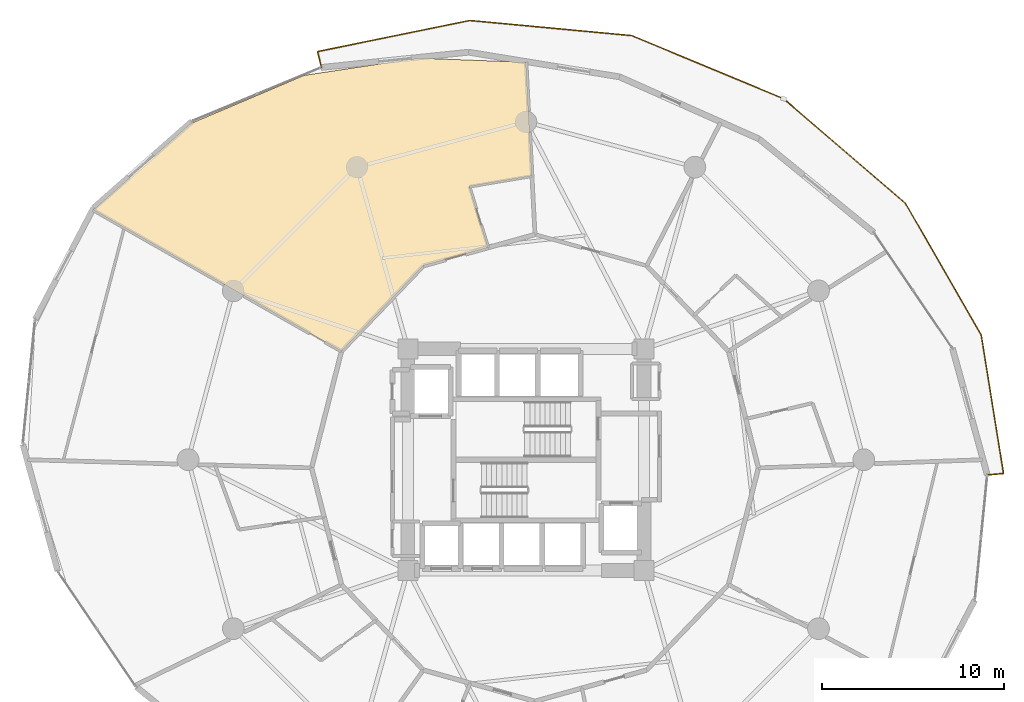
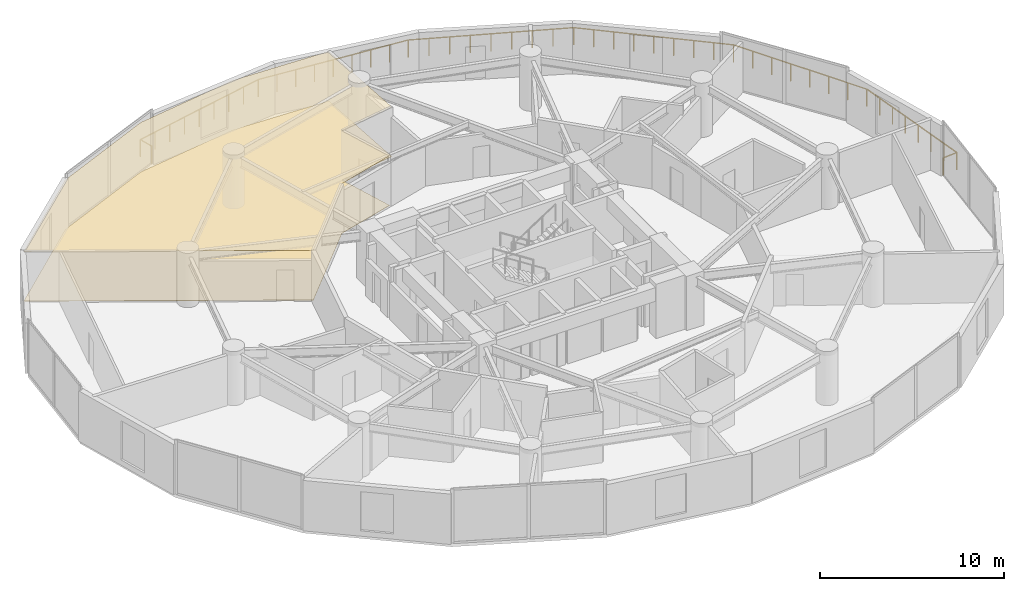
# One storey, part 26 of 26: 2 coverings, 1 railing.
"""IFC4 building model written with IfcOpenShell, lengths in metres."""

from ifc_helpers import new_model, si_unit, direction, frame, origin, origin_2d, place, context, subcontext, project, spatial, polyline, circle, outline, extrude, material, layer, layer_set, type_object, element, save


model = new_model("IFC4")

# Units and contexts
model_context = context("Model", 3, precision=1e-05, world=origin(), true_north=direction((0.0, 1.0)))
body_context = subcontext(model_context, "Body", "Model", "MODEL_VIEW")
ifc_project = project(units=[si_unit("LENGTHUNIT", "METRE"), si_unit("AREAUNIT", "SQUARE_METRE"), si_unit("VOLUMEUNIT", "CUBIC_METRE"), si_unit("PLANEANGLEUNIT", "RADIAN"), si_unit("MASSUNIT", "GRAM", prefix="KILO")], contexts=[model_context])

# Site, building, storey
site_placement = place(None, origin())
site = spatial("IfcSite", under=ifc_project, at=site_placement, CompositionType="ELEMENT")
building_placement = place(site_placement, origin())
building = spatial("IfcBuilding", under=site, at=building_placement, Name="Solvirekh Grand Hotel", CompositionType="ELEMENT")
storey_placement = place(building_placement, frame((0.0, 0.0, 64.39990234375)))
storey = spatial("IfcBuildingStorey", under=building, at=storey_placement, Name="L15", CompositionType="ELEMENT", Elevation=64.39990234375)

# Coverings
ifc_material_1 = material(Name="Acoustic Mineral Ceiling Tile")
ifc_layer_1 = layer(ifc_material_1, 0.02490234375)
ifc_layer_set_1 = layer_set([ifc_layer_1], Name="Acoustic Mineral Ceiling Tile")
covering_type_1 = type_object("IfcCoveringType", Name="Cov_Ceiling_Acoustic", PredefinedType="CEILING", material=ifc_layer_set_1)
covering_1_placement = place(storey_placement, frame((0.0, 0.0, 3.2900390625)))
element("IfcCovering", 1, at=covering_1_placement, inside=storey, type_object=covering_type_1, Name="L15 Diplomatic Suite 1701 Living Room acoustic ceiling", PredefinedType="CEILING", context=body_context, shape_type="SweptSolid", body=[
    extrude(outline(polyline([(-3.118896484375, 15.04296875), (0.330078125, 15.6240234375), (0.0, 21.881103515625), (-5.924072265625, 22.110107421875), (-12.216064453125, 21.157958984375), (-18.490966796875, 18.490966796875), (-23.821044921875, 13.7529296875), (-10.152099609375, 5.97509765625), (-5.64990234375, 10.677978515625), (-2.0830078125, 11.677001953125), (-3.118896484375, 15.04296875)])), origin(), (0.0, 0.0, 1.0), 0.01806640625),
])
ifc_material_2 = material(Name="Porcelain Stoneware Flooring", Category="masonry")
ifc_layer_2 = layer(ifc_material_2, 0.030029296875)
ifc_layer_set_2 = layer_set([ifc_layer_2], Name="Porcelain Stoneware Flooring")
covering_type_2 = type_object("IfcCoveringType", Name="Cov_Floor_Stone", PredefinedType="FLOORING", material=ifc_layer_set_2)
covering_2_placement = place(storey_placement, origin())
element("IfcCovering", 2, at=covering_2_placement, inside=storey, type_object=covering_type_2, Name="L15 Diplomatic Suite 1701 Living Room polished granite flooring", PredefinedType="FLOORING", context=body_context, shape_type="SweptSolid", body=[
    extrude(outline(polyline([(-3.118896484375, 15.04296875), (0.330078125, 15.6240234375), (0.0, 21.881103515625), (-5.924072265625, 22.110107421875), (-12.216064453125, 21.157958984375), (-18.490966796875, 18.490966796875), (-23.821044921875, 13.7529296875), (-10.152099609375, 5.97509765625), (-5.64990234375, 10.677978515625), (-2.0830078125, 11.677001953125), (-3.118896484375, 15.04296875)])), origin(), (0.0, 0.0, 1.0), 0.02001953125),
])

# Railing
ifc_material_3 = material(Name="Anodized Bronze Aluminium 6063-T6", Category="aluminium")
railing_type = type_object("IfcRailingType", Name="Guard_ExtGlass_1150", PredefinedType="BALUSTRADE", material=ifc_material_3)
railing_placement = place(storey_placement, frame((25.39990234375, -0.840087890625, 0.0)))
element("IfcRailing", 3, at=railing_placement, inside=storey, type_object=railing_type, Name="L15 balc perimeter glass balustrade", PredefinedType="BALUSTRADE", context=body_context, shape_type="SweptSolid", body=[
    extrude(circle(Radius=0.02392578125, at=origin_2d()), frame((0.0, 0.0, 1.1259765625), z_axis=(0.996029974315, 0.089018482718, 0.0), x_axis=(-0.089018482718, 0.996029974315, 0.0)), (0.0, 0.0, 1.0), 0.899658203125),
    extrude(circle(Radius=0.02392578125, at=origin_2d()), frame((0.89599609375, 0.080078125, 1.1259765625), z_axis=(-0.158884124332, 0.987297237429, 0.0), x_axis=(-0.987297237429, -0.158884124332, 0.0)), (0.0, 0.0, 1.0), 7.735107421875),
    extrude(circle(Radius=0.02392578125, at=origin_2d()), frame((-0.3330078125, 7.717041015625, 1.1259765625), z_axis=(-0.499219073892, 0.866475802468, 0.0), x_axis=(-0.866475802468, -0.499219073892, 0.0)), (0.0, 0.0, 1.0), 8.356689453125),
    extrude(circle(Radius=0.02392578125, at=origin_2d()), frame((-4.5048828125, 14.9580078125, 1.1259765625), z_axis=(-0.758552005443, 0.651612503747, 0.0), x_axis=(-0.651612503747, -0.758552005443, 0.0)), (0.0, 0.0, 1.0), 8.835205078125),
    extrude(circle(Radius=0.02392578125, at=origin_2d()), frame((-11.206787109375, 20.715087890625, 1.1259765625), z_axis=(-0.923388415228, 0.383866949114, 0.0), x_axis=(-0.383866949114, -0.923388415228, 0.0)), (0.0, 0.0, 1.0), 9.057861328125),
    extrude(circle(Radius=0.02392578125, at=origin_2d()), frame((-19.57080078125, 24.192138671875, 1.1259765625), z_axis=(-0.995673602818, 0.092919732305, 0.0), x_axis=(-0.092919732305, -0.995673602818, 0.0)), (0.0, 0.0, 1.0), 8.96484375),
    extrude(circle(Radius=0.02392578125, at=origin_2d()), frame((-28.496826171875, 25.025146484375, 1.1259765625), z_axis=(-0.979710474015, -0.200418030887, 0.0), x_axis=(0.200418030887, -0.979710474015, 0.0)), (0.0, 0.0, 1.0), 8.552734375),
    extrude(circle(Radius=0.02392578125, at=origin_2d()), frame((-36.8759765625, 23.31103515625, 1.1259765625), z_axis=(0.241258324575, -0.970460932147, 0.0), x_axis=(0.970460932147, 0.241258324575, 0.0)), (0.0, 0.0, 1.0), 0.899658203125),
    extrude(circle(Radius=0.02099609375, at=origin_2d()), origin(), (0.0, 0.0, 1.0), 1.101806640625),
    extrude(circle(Radius=0.02099609375, at=origin_2d()), frame((0.89599609375, 0.080078125, 0.0)), (0.0, 0.0, 1.0), 1.101806640625),
    extrude(circle(Radius=0.02099609375, at=origin_2d()), frame((0.720458984375, 1.171142578125, 0.0)), (0.0, 0.0, 1.0), 1.101806640625),
    extrude(circle(Radius=0.02099609375, at=origin_2d()), frame((0.544921875, 2.261962890625, 0.0)), (0.0, 0.0, 1.0), 1.101806640625),
    extrude(circle(Radius=0.02099609375, at=origin_2d()), frame((0.369384765625, 3.35302734375, 0.0)), (0.0, 0.0, 1.0), 1.101806640625),
    extrude(circle(Radius=0.02099609375, at=origin_2d()), frame((0.193603515625, 4.444091796875, 0.0)), (0.0, 0.0, 1.0), 1.101806640625),
    extrude(circle(Radius=0.02099609375, at=origin_2d()), frame((0.01806640625, 5.53515625, 0.0)), (0.0, 0.0, 1.0), 1.101806640625),
    extrude(circle(Radius=0.02099609375, at=origin_2d()), frame((-0.157470703125, 6.6259765625, 0.0)), (0.0, 0.0, 1.0), 1.101806640625),
    extrude(circle(Radius=0.02099609375, at=origin_2d()), frame((-0.3330078125, 7.717041015625, 0.0)), (0.0, 0.0, 1.0), 1.101806640625),
    extrude(circle(Radius=0.02099609375, at=origin_2d()), frame((-0.928955078125, 8.75146484375, 0.0)), (0.0, 0.0, 1.0), 1.101806640625),
    extrude(circle(Radius=0.02099609375, at=origin_2d()), frame((-1.52490234375, 9.785888671875, 0.0)), (0.0, 0.0, 1.0), 1.101806640625),
    extrude(circle(Radius=0.02099609375, at=origin_2d()), frame((-2.120849609375, 10.8203125, 0.0)), (0.0, 0.0, 1.0), 1.101806640625),
    extrude(circle(Radius=0.02099609375, at=origin_2d()), frame((-2.717041015625, 11.854736328125, 0.0)), (0.0, 0.0, 1.0), 1.101806640625),
    extrude(circle(Radius=0.02099609375, at=origin_2d()), frame((-3.31298828125, 12.88916015625, 0.0)), (0.0, 0.0, 1.0), 1.101806640625),
    extrude(circle(Radius=0.02099609375, at=origin_2d()), frame((-3.908935546875, 13.923583984375, 0.0)), (0.0, 0.0, 1.0), 1.101806640625),
    extrude(circle(Radius=0.02099609375, at=origin_2d()), frame((-4.5048828125, 14.9580078125, 0.0)), (0.0, 0.0, 1.0), 1.101806640625),
    extrude(circle(Radius=0.02099609375, at=origin_2d()), frame((-5.342529296875, 15.677734375, 0.0)), (0.0, 0.0, 1.0), 1.101806640625),
    extrude(circle(Radius=0.02099609375, at=origin_2d()), frame((-6.180419921875, 16.397216796875, 0.0)), (0.0, 0.0, 1.0), 1.101806640625),
    extrude(circle(Radius=0.02099609375, at=origin_2d()), frame((-7.01806640625, 17.116943359375, 0.0)), (0.0, 0.0, 1.0), 1.101806640625),
    extrude(circle(Radius=0.02099609375, at=origin_2d()), frame((-7.85595703125, 17.83642578125, 0.0)), (0.0, 0.0, 1.0), 1.101806640625),
    extrude(circle(Radius=0.02099609375, at=origin_2d()), frame((-8.693603515625, 18.55615234375, 0.0)), (0.0, 0.0, 1.0), 1.101806640625),
    extrude(circle(Radius=0.02099609375, at=origin_2d()), frame((-9.53125, 19.27587890625, 0.0)), (0.0, 0.0, 1.0), 1.101806640625),
    extrude(circle(Radius=0.02099609375, at=origin_2d()), frame((-10.369140625, 19.995361328125, 0.0)), (0.0, 0.0, 1.0), 1.101806640625),
    extrude(circle(Radius=0.02099609375, at=origin_2d()), frame((-11.206787109375, 20.715087890625, 0.0)), (0.0, 0.0, 1.0), 1.101806640625),
    extrude(circle(Radius=0.02099609375, at=origin_2d()), frame((-12.252197265625, 21.149658203125, 0.0)), (0.0, 0.0, 1.0), 1.101806640625),
    extrude(circle(Radius=0.02099609375, at=origin_2d()), frame((-13.2978515625, 21.58447265625, 0.0)), (0.0, 0.0, 1.0), 1.101806640625),
    extrude(circle(Radius=0.02099609375, at=origin_2d()), frame((-14.34326171875, 22.01904296875, 0.0)), (0.0, 0.0, 1.0), 1.101806640625),
    extrude(circle(Radius=0.02099609375, at=origin_2d()), frame((-15.388671875, 22.45361328125, 0.0)), (0.0, 0.0, 1.0), 1.101806640625),
    extrude(circle(Radius=0.02099609375, at=origin_2d()), frame((-16.434326171875, 22.88818359375, 0.0)), (0.0, 0.0, 1.0), 1.101806640625),
    extrude(circle(Radius=0.02099609375, at=origin_2d()), frame((-17.479736328125, 23.32275390625, 0.0)), (0.0, 0.0, 1.0), 1.101806640625),
    extrude(circle(Radius=0.02099609375, at=origin_2d()), frame((-18.525390625, 23.757568359375, 0.0)), (0.0, 0.0, 1.0), 1.101806640625),
    extrude(circle(Radius=0.02099609375, at=origin_2d()), frame((-19.57080078125, 24.192138671875, 0.0)), (0.0, 0.0, 1.0), 1.101806640625),
    extrude(circle(Radius=0.02099609375, at=origin_2d()), frame((-20.6865234375, 24.29638671875, 0.0)), (0.0, 0.0, 1.0), 1.101806640625),
    extrude(circle(Radius=0.02099609375, at=origin_2d()), frame((-21.80224609375, 24.400390625, 0.0)), (0.0, 0.0, 1.0), 1.101806640625),
    extrude(circle(Radius=0.02099609375, at=origin_2d()), frame((-22.91796875, 24.50439453125, 0.0)), (0.0, 0.0, 1.0), 1.101806640625),
    extrude(circle(Radius=0.02099609375, at=origin_2d()), frame((-24.03369140625, 24.608642578125, 0.0)), (0.0, 0.0, 1.0), 1.101806640625),
    extrude(circle(Radius=0.02099609375, at=origin_2d()), frame((-25.149658203125, 24.712890625, 0.0)), (0.0, 0.0, 1.0), 1.101806640625),
    extrude(circle(Radius=0.02099609375, at=origin_2d()), frame((-26.265380859375, 24.81689453125, 0.0)), (0.0, 0.0, 1.0), 1.101806640625),
    extrude(circle(Radius=0.02099609375, at=origin_2d()), frame((-27.381103515625, 24.9208984375, 0.0)), (0.0, 0.0, 1.0), 1.101806640625),
    extrude(circle(Radius=0.02099609375, at=origin_2d()), frame((-28.496826171875, 25.025146484375, 0.0)), (0.0, 0.0, 1.0), 1.101806640625),
    extrude(circle(Radius=0.02099609375, at=origin_2d()), frame((-29.544189453125, 24.810791015625, 0.0)), (0.0, 0.0, 1.0), 1.101806640625),
    extrude(circle(Radius=0.02099609375, at=origin_2d()), frame((-30.591552734375, 24.5966796875, 0.0)), (0.0, 0.0, 1.0), 1.101806640625),
    extrude(circle(Radius=0.02099609375, at=origin_2d()), frame((-31.638916015625, 24.38232421875, 0.0)), (0.0, 0.0, 1.0), 1.101806640625),
    extrude(circle(Radius=0.02099609375, at=origin_2d()), frame((-32.6865234375, 24.16796875, 0.0)), (0.0, 0.0, 1.0), 1.101806640625),
    extrude(circle(Radius=0.02099609375, at=origin_2d()), frame((-33.73388671875, 23.953857421875, 0.0)), (0.0, 0.0, 1.0), 1.101806640625),
    extrude(circle(Radius=0.02099609375, at=origin_2d()), frame((-34.78125, 23.739501953125, 0.0)), (0.0, 0.0, 1.0), 1.101806640625),
    extrude(circle(Radius=0.02099609375, at=origin_2d()), frame((-35.82861328125, 23.525390625, 0.0)), (0.0, 0.0, 1.0), 1.101806640625),
    extrude(circle(Radius=0.02099609375, at=origin_2d()), frame((-36.8759765625, 23.31103515625, 0.0)), (0.0, 0.0, 1.0), 1.101806640625),
    extrude(circle(Radius=0.02099609375, at=origin_2d()), frame((-36.658935546875, 22.43798828125, 0.0)), (0.0, 0.0, 1.0), 1.101806640625),
])

save(model, "model.ifc")
